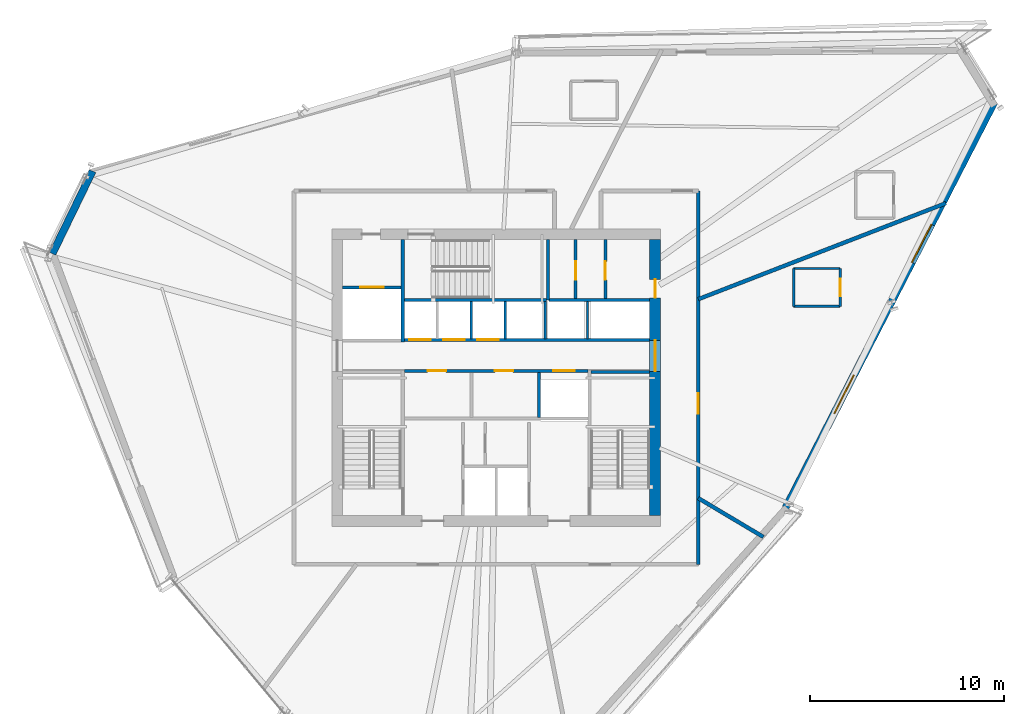
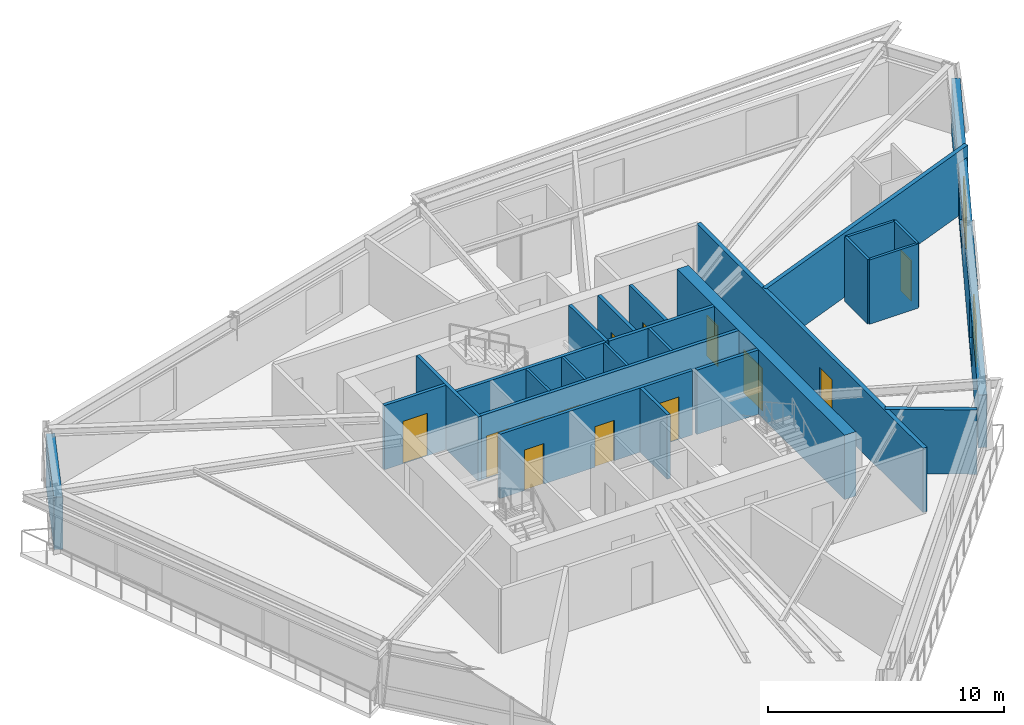
# One storey, part 10 of 15: 25 walls, 13 doors, 2 windows, 15 openings.
"""IFC4 building model written with IfcOpenShell, lengths in metres."""

from ifc_helpers import new_model, si_unit, direction, frame, frame_2d, origin, place, context, subcontext, project, spatial, rectangle, extrude, source, transform, mapped, material, layer, layer_set, type_object, type_shapes, element, fill, save


model = new_model("IFC4")

# Units and contexts
model_context = context("Model", 3, precision=1e-05, world=origin(), true_north=direction((0.0, 1.0)))
body_context = subcontext(model_context, "Body", "Model", "MODEL_VIEW")
ifc_project = project(units=[si_unit("LENGTHUNIT", "METRE"), si_unit("AREAUNIT", "SQUARE_METRE"), si_unit("VOLUMEUNIT", "CUBIC_METRE"), si_unit("PLANEANGLEUNIT", "RADIAN"), si_unit("MASSUNIT", "GRAM", prefix="KILO")], contexts=[model_context])

# Site, building, storey
site_placement = place(None, origin())
site = spatial("IfcSite", under=ifc_project, at=site_placement, CompositionType="ELEMENT")
building_placement = place(site_placement, origin())
building = spatial("IfcBuilding", under=site, at=building_placement, Name="Olszyna Solenne Hotel", CompositionType="ELEMENT")
storey_placement = place(building_placement, frame((0.0, 0.0, 164.35009765625)))
storey = spatial("IfcBuildingStorey", under=building, at=storey_placement, Name="L43", CompositionType="ELEMENT", Elevation=164.35009765625)

# Wall, openings, doors
ifc_material_1 = material(Name="Concrete C50/60", Category="concrete")
ifc_layer_1 = layer(ifc_material_1, 0.550048828125, Name="Concrete C50/60")
ifc_layer_set_1 = layer_set([ifc_layer_1], Name="Concrete C50/60")
wall_type_1 = type_object("IfcWallType", Name="WL-CR550", PredefinedType="SHEAR", material=ifc_layer_set_1)
wall_1_placement = place(storey_placement, frame((46.175048828125, 33.699951171875, 0.0), z_axis=(0.0, 0.0, 1.0), x_axis=(0.0, -1.0, 0.0)))
wall_1 = element("IfcWall", 1, at=wall_1_placement, inside=storey, type_object=wall_type_1, Name="Core shear wall WL-CR550 CRW-L43-E", PredefinedType="SHEAR", context=body_context, shape_type="SweptSolid", body=[
    extrude(rectangle(XDim=14.199951171875, YDim=0.550048828125, at=frame_2d((7.10009765625, 0.0))), origin(), (0.0, 0.0, 1.0), 3.329833984375),
])
opening_1_placement = place(wall_1_placement, frame((5.179931640625, 0.0, 0.0)))
opening_1 = element("IfcOpeningElement", 2, at=opening_1_placement, cuts=wall_1, Name="Opening LHD-L43-E", PredefinedType="OPENING", context=body_context, shape_type="SweptSolid", body=[
    extrude(rectangle(XDim=1.60009765625, YDim=2.199951171875, at=frame_2d((0.800048828125, 1.10009765625))), frame((0.0, 0.28515625, 0.0), z_axis=(0.0, -1.0, 0.0), x_axis=(1.0, 0.0, 0.0)), (0.0, 0.0, 1.0), 0.570068359375),
])
opening_2_placement = place(wall_1_placement, frame((2.050048828125, 0.0, 0.0)))
opening_2 = element("IfcOpeningElement", 3, at=opening_2_placement, cuts=wall_1, Name="Opening SVD-L43-BE", PredefinedType="OPENING", context=body_context, shape_type="SweptSolid", body=[
    extrude(rectangle(XDim=0.949951171875, YDim=2.10009765625, at=frame_2d((0.47509765625, 1.050048828125))), frame((0.0, 0.28515625, 0.0), z_axis=(0.0, -1.0, 0.0), x_axis=(1.0, 0.0, 0.0)), (0.0, 0.0, 1.0), 0.570068359375),
])
ifc_material_2 = material(Name="Steel S355J2", Category="steel")
door_type_1 = type_object("IfcDoorType", Name="DR-SV1", OperationType="NOTDEFINED", PredefinedType="DOOR", material=ifc_material_2)
shared_shape_1 = source(origin(), body_context, "Body", "SweptSolid", [
    extrude(rectangle(XDim=0.949951171875, YDim=2.10009765625, at=frame_2d((0.47509765625, 1.050048828125))), frame((0.0, 0.02490234375, 0.0), z_axis=(0.0, -1.0, 0.0), x_axis=(1.0, 0.0, 0.0)), (0.0, 0.0, 1.0), 0.050048828125),
])
type_shapes(door_type_1, [shared_shape_1])
door_1_placement = place(opening_2_placement, origin())
door_1 = element("IfcDoor", 4, at=door_1_placement, inside=storey, type_object=door_type_1, Name="Housekeeping core fire door SVD-L43-BE", OperationType="SINGLE_SWING_RIGHT", OverallHeight=2.10009765625, OverallWidth=0.949951171875, PredefinedType="DOOR", context=body_context, shape_type="MappedRepresentation", body=[
    mapped(shared_shape_1, transform((0.0, 0.0, 0.0), x_axis=(1.0, 0.0, 0.0), y_axis=(0.0, 1.0, 0.0), z_axis=(0.0, 0.0, 1.0), scale=1.0)),
])
fill(opening_2, door_1)
ifc_material_3 = material(Name="Timber hardwood", Category="wood")
door_type_2 = type_object("IfcDoorType", Name="DR-CR1", OperationType="DOUBLE_DOOR_SINGLE_SWING", PredefinedType="DOOR", material=ifc_material_3)
shared_shape_2 = source(origin(), body_context, "Body", "SweptSolid", [
    extrude(rectangle(XDim=1.60009765625, YDim=2.199951171875, at=frame_2d((0.800048828125, 1.10009765625))), frame((0.0, 0.02490234375, 0.0), z_axis=(0.0, -1.0, 0.0), x_axis=(1.0, 0.0, 0.0)), (0.0, 0.0, 1.0), 0.050048828125),
])
type_shapes(door_type_2, [shared_shape_2])
door_2_placement = place(opening_1_placement, origin())
door_2 = element("IfcDoor", 5, at=door_2_placement, inside=storey, type_object=door_type_2, Name="Passenger lift lobby East fire door LHD-L43-E", OperationType="DOUBLE_DOOR_SINGLE_SWING", OverallHeight=2.199951171875, OverallWidth=1.60009765625, PredefinedType="DOOR", context=body_context, shape_type="MappedRepresentation", body=[
    mapped(shared_shape_2, transform((0.0, 0.0, 0.0), x_axis=(1.0, 0.0, 0.0), y_axis=(0.0, 1.0, 0.0), z_axis=(0.0, 0.0, 1.0), scale=1.0)),
])
fill(opening_1, door_2)

# Wall
ifc_material_4 = material(Name="Terracotta cladding on precast concrete C45/55", Category="masonry")
ifc_layer_2 = layer(ifc_material_4, 0.3798828125, Name="Terracotta cladding on precast concrete C45/55")
ifc_layer_set_2 = layer_set([ifc_layer_2], Name="Terracotta cladding on precast concrete C45/55")
wall_type_2 = type_object("IfcWallType", Name="WL-EX380", PredefinedType="SOLIDWALL", material=ifc_layer_set_2)
wall_2_placement = place(storey_placement, frame((15.17529296875, 32.977294921875, 0.0), z_axis=(0.0, 0.0, 1.0), x_axis=(0.436797542264, 0.89955984074, 0.0)))
element("IfcWall", 6, at=wall_2_placement, inside=storey, type_object=wall_type_2, Name="Exterior terracotta-precast frame wall WL-EX380 EW-L43-06", PredefinedType="SOLIDWALL", context=body_context, shape_type="SweptSolid", body=[
    extrude(rectangle(XDim=4.72021484375, YDim=0.3798828125, at=frame_2d((2.360107421875, 0.0))), origin(), (0.0, 0.0, 1.0), 2.721923828125),
])

# Wall, openings, windows
wall_3_placement = place(storey_placement, frame((63.62939453125, 40.7734375, 0.0), z_axis=(0.0, 0.0, 1.0), x_axis=(-0.457435909199, -0.889242592871, 0.0)))
wall_3 = element("IfcWall", 7, at=wall_3_placement, inside=storey, type_object=wall_type_2, Name="Exterior terracotta-precast frame wall WL-EX380 EW-L43-10", PredefinedType="SOLIDWALL", context=body_context, shape_type="SweptSolid", body=[
    extrude(rectangle(XDim=23.4716796875, YDim=0.3798828125, at=frame_2d((11.73583984375, 0.0))), origin(), (0.0, 0.0, 1.0), 2.721923828125),
])
opening_3_placement = place(wall_3_placement, frame((7.072021484375, 0.0, 0.35205078125)))
opening_3 = element("IfcOpeningElement", 8, at=opening_3_placement, cuts=wall_3, Name="Opening WN-L43-267", PredefinedType="OPENING", context=body_context, shape_type="SweptSolid", body=[
    extrude(rectangle(XDim=2.199951171875, YDim=2.25, at=frame_2d((1.10009765625, 1.125))), frame((0.0, 0.199951171875, 0.0), z_axis=(0.0, -1.0, 0.0), x_axis=(1.0, 0.0, 0.0)), (0.0, 0.0, 1.0), 0.39990234375),
])
opening_4_placement = place(wall_3_placement, frame((15.800048828125, 0.0, 0.35205078125)))
opening_4 = element("IfcOpeningElement", 9, at=opening_4_placement, cuts=wall_3, Name="Opening WN-L43-268", PredefinedType="OPENING", context=body_context, shape_type="SweptSolid", body=[
    extrude(rectangle(XDim=2.199951171875, YDim=2.25, at=frame_2d((1.10009765625, 1.125))), frame((0.0, 0.199951171875, 0.0), z_axis=(0.0, -1.0, 0.0), x_axis=(1.0, 0.0, 0.0)), (0.0, 0.0, 1.0), 0.39990234375),
])
ifc_material_5 = material(Name="Low-E triple glazing", Category="glass")
window_type = type_object("IfcWindowType", Name="WN-HT2", PartitioningType="SINGLE_PANEL", PredefinedType="WINDOW", material=ifc_material_5)
shared_shape_3 = source(origin(), body_context, "Body", "SweptSolid", [
    extrude(rectangle(XDim=2.199951171875, YDim=2.25, at=frame_2d((1.10009765625, 1.125))), frame((0.0, 0.030029296875, 0.0), z_axis=(0.0, -1.0, 0.0), x_axis=(1.0, 0.0, 0.0)), (0.0, 0.0, 1.0), 0.06005859375),
])
type_shapes(window_type, [shared_shape_3])
window_1_placement = place(opening_3_placement, origin())
window_1 = element("IfcWindow", 10, at=window_1_placement, inside=storey, type_object=window_type, Name="Exterior facade window WN-HT2 WN-L43-267", OverallHeight=2.25, OverallWidth=2.199951171875, PartitioningType="SINGLE_PANEL", PredefinedType="WINDOW", context=body_context, shape_type="MappedRepresentation", body=[
    mapped(shared_shape_3, transform((0.0, 0.0, 0.0), x_axis=(1.0, 0.0, 0.0), y_axis=(0.0, 1.0, 0.0), z_axis=(0.0, 0.0, 1.0), scale=1.0)),
])
fill(opening_3, window_1)
window_2_placement = place(opening_4_placement, origin())
window_2 = element("IfcWindow", 11, at=window_2_placement, inside=storey, type_object=window_type, Name="Exterior facade window WN-HT2 WN-L43-268", OverallHeight=2.25, OverallWidth=2.199951171875, PartitioningType="SINGLE_PANEL", PredefinedType="WINDOW", context=body_context, shape_type="MappedRepresentation", body=[
    mapped(shared_shape_3, transform((0.0, 0.0, 0.0), x_axis=(1.0, 0.0, 0.0), y_axis=(0.0, 1.0, 0.0), z_axis=(0.0, 0.0, 1.0), scale=1.0)),
])
fill(opening_4, window_2)

# Walls
ifc_material_6 = material(Name="Acoustic gypsum partition", Category="gypsum")
ifc_layer_3 = layer(ifc_material_6, 0.125, Name="Acoustic gypsum partition")
ifc_layer_set_3 = layer_set([ifc_layer_3], Name="Acoustic gypsum partition")
wall_type_3 = type_object("IfcWallType", Name="WL-PT125", PredefinedType="PARTITIONING", material=ifc_layer_set_3)
for number, where, z_axis, x_axis, name in (
    (12, (36.715087890625, 28.60009765625, 0.0), (0.0, 0.0, 1.0), (0.0, 1.0, 0.0), "Core shaft compartment wall CW-L43-DIVN367"),
    (13, (38.465087890625, 28.60009765625, 0.0), (0.0, 0.0, 1.0), (0.0, 1.0, 0.0), "Core shaft compartment wall CW-L43-DIVN384"),
    (14, (40.52490234375, 28.60009765625, 0.0), (0.0, 0.0, 1.0), (0.0, 1.0, 0.0), "Core shaft compartment wall CW-L43-DIVEX405"),
    (15, (42.699951171875, 28.60009765625, 0.0), (0.0, 0.0, 1.0), (0.0, 1.0, 0.0), "Core shaft compartment wall CW-L43-DIVEX427"),
):
    element("IfcWall", number, at=place(storey_placement, frame(where, z_axis=z_axis, x_axis=x_axis)), inside=storey, type_object=wall_type_3, Name=name, PredefinedType="PARTITIONING", context=body_context, shape_type="SweptSolid", body=[
        extrude(rectangle(XDim=1.919921875, YDim=0.125, at=frame_2d((0.9599609375, 0.0))), origin(), (0.0, 0.0, 1.0), 3.329833984375),
    ])

# Wall, opening, door
wall_4_placement = place(storey_placement, frame((55.700927734375, 30.261962890625, 0.0), z_axis=(0.0, 0.0, 1.0), x_axis=(0.0, 1.0, 0.0)))
wall_4 = element("IfcWall", 16, at=wall_4_placement, inside=storey, type_object=wall_type_3, Name="Interior acoustic partition WL-PT125 PW-L43-2426", PredefinedType="PARTITIONING", context=body_context, shape_type="SweptSolid", body=[
    extrude(rectangle(XDim=1.949951171875, YDim=0.125, at=frame_2d((0.97509765625, 0.0))), origin(), (0.0, 0.0, 1.0), 3.329833984375),
])
opening_5_placement = place(wall_4_placement, frame((0.52490234375, 0.0, 0.0)))
opening_5 = element("IfcOpeningElement", 17, at=opening_5_placement, cuts=wall_4, Name="Opening DR-L43-0585", PredefinedType="OPENING", context=body_context, shape_type="SweptSolid", body=[
    extrude(rectangle(XDim=0.89990234375, YDim=2.10009765625, at=frame_2d((0.449951171875, 1.050048828125))), frame((0.0, 0.072509765625, 0.0), z_axis=(0.0, -1.0, 0.0), x_axis=(1.0, 0.0, 0.0)), (0.0, 0.0, 1.0), 0.14501953125),
])
door_type_3 = type_object("IfcDoorType", Name="DR-WC1", OperationType="NOTDEFINED", PredefinedType="DOOR", material=ifc_material_3)
shared_shape_4 = source(origin(), body_context, "Body", "SweptSolid", [
    extrude(rectangle(XDim=0.89990234375, YDim=2.10009765625, at=frame_2d((0.449951171875, 1.050048828125))), frame((0.0, 0.02490234375, 0.0), z_axis=(0.0, -1.0, 0.0), x_axis=(1.0, 0.0, 0.0)), (0.0, 0.0, 1.0), 0.050048828125),
])
type_shapes(door_type_3, [shared_shape_4])
door_3_placement = place(opening_5_placement, origin())
door_3 = element("IfcDoor", 18, at=door_3_placement, inside=storey, type_object=door_type_3, Name="En-Suite Bathroom Door DR-L43-0585", OperationType="SINGLE_SWING_RIGHT", OverallHeight=2.10009765625, OverallWidth=0.89990234375, PredefinedType="DOOR", context=body_context, shape_type="MappedRepresentation", body=[
    mapped(shared_shape_4, transform((0.0, 0.0, 0.0), x_axis=(1.0, 0.0, 0.0), y_axis=(0.0, 1.0, 0.0), z_axis=(0.0, 0.0, 1.0), scale=1.0)),
])
fill(opening_5, door_3)

# Walls
wall_5_placement = place(storey_placement, frame((55.700927734375, 32.2119140625, 0.0), z_axis=(0.0, 0.0, 1.0), x_axis=(-1.0, 0.0, 0.0)))
element("IfcWall", 19, at=wall_5_placement, inside=storey, type_object=wall_type_3, Name="Interior acoustic partition WL-PT125 PW-L43-2427", PredefinedType="PARTITIONING", context=body_context, shape_type="SweptSolid", body=[
    extrude(rectangle(XDim=2.39990234375, YDim=0.125, at=frame_2d((1.199951171875, 0.0))), origin(), (0.0, 0.0, 1.0), 3.329833984375),
])
wall_6_placement = place(storey_placement, frame((53.301025390625, 32.2119140625, 0.0), z_axis=(0.0, 0.0, 1.0), x_axis=(0.0, -1.0, 0.0)))
element("IfcWall", 20, at=wall_6_placement, inside=storey, type_object=wall_type_3, Name="Interior acoustic partition WL-PT125 PW-L43-2428", PredefinedType="PARTITIONING", context=body_context, shape_type="SweptSolid", body=[
    extrude(rectangle(XDim=1.949951171875, YDim=0.125, at=frame_2d((0.97509765625, 0.0))), origin(), (0.0, 0.0, 1.0), 3.329833984375),
])
wall_7_placement = place(storey_placement, frame((53.301025390625, 30.261962890625, 0.0), z_axis=(0.0, 0.0, 1.0), x_axis=(1.0, 0.0, 0.0)))
element("IfcWall", 21, at=wall_7_placement, inside=storey, type_object=wall_type_3, Name="Interior acoustic partition WL-PT125 PW-L43-2429", PredefinedType="PARTITIONING", context=body_context, shape_type="SweptSolid", body=[
    extrude(rectangle(XDim=2.39990234375, YDim=0.125, at=frame_2d((1.199951171875, 0.0))), origin(), (0.0, 0.0, 1.0), 3.329833984375),
])
ifc_layer_4 = layer(ifc_material_6, 0.159912109375, Name="Acoustic gypsum partition")
ifc_layer_set_4 = layer_set([ifc_layer_4], Name="Acoustic gypsum partition")
wall_type_4 = type_object("IfcWallType", Name="WL-PT160", PredefinedType="PARTITIONING", material=ifc_layer_set_4)
wall_8_placement = place(storey_placement, frame((42.8798828125, 26.8798828125, 0.0), z_axis=(0.0, 0.0, 1.0), x_axis=(1.0, 0.0, 0.0)))
element("IfcWall", 22, at=wall_8_placement, inside=storey, type_object=wall_type_4, Name="Core shaft compartment wall CW-L43-ST2N", PredefinedType="PARTITIONING", context=body_context, shape_type="SweptSolid", body=[
    extrude(rectangle(XDim=3.02001953125, YDim=0.159912109375, at=frame_2d((1.510009765625, 0.0))), origin(), (0.0, 0.0, 1.0), 3.329833984375),
])
wall_9_placement = place(storey_placement, frame((33.280029296875, 30.60009765625, 0.0), z_axis=(0.0, 0.0, 1.0), x_axis=(1.0, 0.0, 0.0)))
element("IfcWall", 23, at=wall_9_placement, inside=storey, type_object=wall_type_4, Name="Core shaft compartment wall CW-L43-ST3S", PredefinedType="PARTITIONING", context=body_context, shape_type="SweptSolid", body=[
    extrude(rectangle(XDim=7.300048828125, YDim=0.159912109375, at=frame_2d((3.64990234375, 0.0))), origin(), (0.0, 0.0, 1.0), 3.329833984375),
])
wall_10_placement = place(storey_placement, frame((40.659912109375, 30.60009765625, 0.0), z_axis=(0.0, 0.0, 1.0), x_axis=(0.0, 1.0, 0.0)))
element("IfcWall", 24, at=wall_10_placement, inside=storey, type_object=wall_type_4, Name="Core shaft compartment wall CW-L43-ST3E", PredefinedType="PARTITIONING", context=body_context, shape_type="SweptSolid", body=[
    extrude(rectangle(XDim=3.099853515625, YDim=0.159912109375, at=frame_2d((1.5498046875, 0.0))), origin(), (0.0, 0.0, 1.0), 3.329833984375),
])
wall_11_placement = place(storey_placement, frame((33.199951171875, 28.43994140625, 0.0), z_axis=(0.0, 0.0, 1.0), x_axis=(0.0, 1.0, 0.0)))
element("IfcWall", 25, at=wall_11_placement, inside=storey, type_object=wall_type_4, Name="Core shaft compartment wall CW-L43-SV1E", PredefinedType="PARTITIONING", context=body_context, shape_type="SweptSolid", body=[
    extrude(rectangle(XDim=5.260009765625, YDim=0.159912109375, at=frame_2d((2.6298828125, 0.0))), origin(), (0.0, 0.0, 1.0), 3.329833984375),
])

# Wall, opening, door
wall_12_placement = place(storey_placement, frame((30.10009765625, 31.239990234375, 0.0), z_axis=(0.0, 0.0, 1.0), x_axis=(1.0, 0.0, 0.0)))
wall_12 = element("IfcWall", 26, at=wall_12_placement, inside=storey, type_object=wall_type_4, Name="Core shaft compartment wall CW-L43-SV1N", PredefinedType="PARTITIONING", context=body_context, shape_type="SweptSolid", body=[
    extrude(rectangle(XDim=3.02001953125, YDim=0.159912109375, at=frame_2d((1.510009765625, 0.0))), origin(), (0.0, 0.0, 1.0), 3.329833984375),
])
opening_6_placement = place(wall_12_placement, frame((0.909912109375, 0.0, 0.0)))
opening_6 = element("IfcOpeningElement", 27, at=opening_6_placement, cuts=wall_12, Name="Opening LD-L43-SV1", PredefinedType="OPENING", context=body_context, shape_type="SweptSolid", body=[
    extrude(rectangle(XDim=1.199951171875, YDim=2.199951171875, at=frame_2d((0.60009765625, 1.10009765625))), frame((0.0, 0.08984375, 0.0), z_axis=(0.0, -1.0, 0.0), x_axis=(1.0, 0.0, 0.0)), (0.0, 0.0, 1.0), 0.179931640625),
])
door_type_4 = type_object("IfcDoorType", Name="LD-FF1", OperationType="DOUBLE_DOOR_SLIDING", PredefinedType="DOOR", material=ifc_material_2)
shared_shape_5 = source(origin(), body_context, "Body", "SweptSolid", [
    extrude(rectangle(XDim=1.199951171875, YDim=2.199951171875, at=frame_2d((0.60009765625, 1.10009765625))), frame((0.0, 0.02490234375, 0.0), z_axis=(0.0, -1.0, 0.0), x_axis=(1.0, 0.0, 0.0)), (0.0, 0.0, 1.0), 0.050048828125),
])
type_shapes(door_type_4, [shared_shape_5])
door_4_placement = place(opening_6_placement, origin())
door_4 = element("IfcDoor", 28, at=door_4_placement, inside=storey, type_object=door_type_4, Name="Service lift SV1 sliding landing door LD-L43-SV1", OperationType="DOUBLE_DOOR_SLIDING", OverallHeight=2.199951171875, OverallWidth=1.199951171875, PredefinedType="DOOR", context=body_context, shape_type="MappedRepresentation", body=[
    mapped(shared_shape_5, transform((0.0, 0.0, 0.0), x_axis=(1.0, 0.0, 0.0), y_axis=(0.0, 1.0, 0.0), z_axis=(0.0, 0.0, 1.0), scale=1.0)),
])
fill(opening_6, door_4)

# Wall, openings, doors
wall_13_placement = place(storey_placement, frame((33.280029296875, 26.949951171875, 0.0), z_axis=(0.0, 0.0, 1.0), x_axis=(1.0, 0.0, 0.0)))
wall_13 = element("IfcWall", 29, at=wall_13_placement, inside=storey, type_object=wall_type_4, Name="Core shaft compartment wall CW-L43-LRS", PredefinedType="PARTITIONING", context=body_context, shape_type="SweptSolid", body=[
    extrude(rectangle(XDim=9.43994140625, YDim=0.159912109375, at=frame_2d((4.719970703125, 0.0))), origin(), (0.0, 0.0, 1.0), 3.329833984375),
])
opening_7_placement = place(wall_13_placement, frame((1.199951171875, 0.0, 0.0)))
opening_7 = element("IfcOpeningElement", 30, at=opening_7_placement, cuts=wall_13, Name="Opening SVD-L43-L71", PredefinedType="OPENING", context=body_context, shape_type="SweptSolid", body=[
    extrude(rectangle(XDim=0.949951171875, YDim=2.10009765625, at=frame_2d((0.47509765625, 1.050048828125))), frame((0.0, 0.08984375, 0.0), z_axis=(0.0, -1.0, 0.0), x_axis=(1.0, 0.0, 0.0)), (0.0, 0.0, 1.0), 0.179931640625),
])
opening_8_placement = place(wall_13_placement, frame((4.64990234375, 0.0, 0.0)))
opening_8 = element("IfcOpeningElement", 31, at=opening_8_placement, cuts=wall_13, Name="Opening SVD-L43-L72", PredefinedType="OPENING", context=body_context, shape_type="SweptSolid", body=[
    extrude(rectangle(XDim=0.949951171875, YDim=2.10009765625, at=frame_2d((0.47509765625, 1.050048828125))), frame((0.0, 0.08984375, 0.0), z_axis=(0.0, -1.0, 0.0), x_axis=(1.0, 0.0, 0.0)), (0.0, 0.0, 1.0), 0.179931640625),
])
opening_9_placement = place(wall_13_placement, frame((7.669921875, 0.0, 0.0)))
opening_9 = element("IfcOpeningElement", 32, at=opening_9_placement, cuts=wall_13, Name="Opening LD-L43-PL5", PredefinedType="OPENING", context=body_context, shape_type="SweptSolid", body=[
    extrude(rectangle(XDim=1.10009765625, YDim=2.199951171875, at=frame_2d((0.550048828125, 1.10009765625))), frame((0.0, 0.08984375, 0.0), z_axis=(0.0, -1.0, 0.0), x_axis=(1.0, 0.0, 0.0)), (0.0, 0.0, 1.0), 0.179931640625),
])
door_5_placement = place(opening_7_placement, origin())
door_5 = element("IfcDoor", 33, at=door_5_placement, inside=storey, type_object=door_type_1, Name="Recaptured core room fire door SVD-L43-L71", OperationType="SINGLE_SWING_LEFT", OverallHeight=2.10009765625, OverallWidth=0.949951171875, PredefinedType="DOOR", context=body_context, shape_type="MappedRepresentation", body=[
    mapped(shared_shape_1, transform((0.0, 0.0, 0.0), x_axis=(1.0, 0.0, 0.0), y_axis=(0.0, 1.0, 0.0), z_axis=(0.0, 0.0, 1.0), scale=1.0)),
])
fill(opening_7, door_5)
door_6_placement = place(opening_8_placement, origin())
door_6 = element("IfcDoor", 34, at=door_6_placement, inside=storey, type_object=door_type_1, Name="Recaptured core room fire door SVD-L43-L72", OperationType="SINGLE_SWING_RIGHT", OverallHeight=2.10009765625, OverallWidth=0.949951171875, PredefinedType="DOOR", context=body_context, shape_type="MappedRepresentation", body=[
    mapped(shared_shape_1, transform((0.0, 0.0, 0.0), x_axis=(1.0, 0.0, 0.0), y_axis=(0.0, 1.0, 0.0), z_axis=(0.0, 0.0, 1.0), scale=1.0)),
])
fill(opening_8, door_6)
door_type_5 = type_object("IfcDoorType", Name="LD-P1", OperationType="DOUBLE_DOOR_SLIDING", PredefinedType="DOOR", material=ifc_material_2)
shared_shape_6 = source(origin(), body_context, "Body", "SweptSolid", [
    extrude(rectangle(XDim=1.10009765625, YDim=2.199951171875, at=frame_2d((0.550048828125, 1.10009765625))), frame((0.0, 0.02490234375, 0.0), z_axis=(0.0, -1.0, 0.0), x_axis=(1.0, 0.0, 0.0)), (0.0, 0.0, 1.0), 0.050048828125),
])
type_shapes(door_type_5, [shared_shape_6])
door_7_placement = place(opening_9_placement, origin())
door_7 = element("IfcDoor", 35, at=door_7_placement, inside=storey, type_object=door_type_5, Name="Passenger lift PL5 sliding landing door LD-L43-PL5", OperationType="DOUBLE_DOOR_SLIDING", OverallHeight=2.199951171875, OverallWidth=1.10009765625, PredefinedType="DOOR", context=body_context, shape_type="MappedRepresentation", body=[
    mapped(shared_shape_6, transform((0.0, 0.0, 0.0), x_axis=(1.0, 0.0, 0.0), y_axis=(0.0, 1.0, 0.0), z_axis=(0.0, 0.0, 1.0), scale=1.0)),
])
fill(opening_9, door_7)

# Wall
wall_14_placement = place(storey_placement, frame((40.215087890625, 24.56005859375, 0.0), z_axis=(0.0, 0.0, 1.0), x_axis=(0.0, 1.0, 0.0)))
element("IfcWall", 36, at=wall_14_placement, inside=storey, type_object=wall_type_4, Name="Core shaft compartment wall CW-L43-LV7DIV2", PredefinedType="PARTITIONING", context=body_context, shape_type="SweptSolid", body=[
    extrude(rectangle(XDim=2.31005859375, YDim=0.159912109375, at=frame_2d((1.155029296875, 0.0))), origin(), (0.0, 0.0, 1.0), 3.329833984375),
])

# Wall, openings, doors
wall_15_placement = place(storey_placement, frame((33.280029296875, 28.5400390625, 0.0), z_axis=(0.0, 0.0, 1.0), x_axis=(1.0, 0.0, 0.0)))
wall_15 = element("IfcWall", 37, at=wall_15_placement, inside=storey, type_object=wall_type_4, Name="Core shaft compartment wall CW-L43-LRN", PredefinedType="PARTITIONING", context=body_context, shape_type="SweptSolid", body=[
    extrude(rectangle(XDim=12.619873046875, YDim=0.159912109375, at=frame_2d((6.31005859375, 0.0))), origin(), (0.0, 0.0, 1.0), 3.329833984375),
])
opening_10_placement = place(wall_15_placement, frame((0.260009765625, 0.0, 0.0)))
opening_10 = element("IfcOpeningElement", 38, at=opening_10_placement, cuts=wall_15, Name="Opening LD-L43-PL6", PredefinedType="OPENING", context=body_context, shape_type="SweptSolid", body=[
    extrude(rectangle(XDim=1.10009765625, YDim=2.199951171875, at=frame_2d((0.550048828125, 1.10009765625))), frame((0.0, 0.08984375, 0.0), z_axis=(0.0, -1.0, 0.0), x_axis=(1.0, 0.0, 0.0)), (0.0, 0.0, 1.0), 0.179931640625),
])
opening_11_placement = place(wall_15_placement, frame((2.010009765625, 0.0, 0.0)))
opening_11 = element("IfcOpeningElement", 39, at=opening_11_placement, cuts=wall_15, Name="Opening LD-L43-PL7", PredefinedType="OPENING", context=body_context, shape_type="SweptSolid", body=[
    extrude(rectangle(XDim=1.10009765625, YDim=2.199951171875, at=frame_2d((0.550048828125, 1.10009765625))), frame((0.0, 0.08984375, 0.0), z_axis=(0.0, -1.0, 0.0), x_axis=(1.0, 0.0, 0.0)), (0.0, 0.0, 1.0), 0.179931640625),
])
opening_12_placement = place(wall_15_placement, frame((3.760009765625, 0.0, 0.0)))
opening_12 = element("IfcOpeningElement", 40, at=opening_12_placement, cuts=wall_15, Name="Opening LD-L43-PL8", PredefinedType="OPENING", context=body_context, shape_type="SweptSolid", body=[
    extrude(rectangle(XDim=1.10009765625, YDim=2.199951171875, at=frame_2d((0.550048828125, 1.10009765625))), frame((0.0, 0.08984375, 0.0), z_axis=(0.0, -1.0, 0.0), x_axis=(1.0, 0.0, 0.0)), (0.0, 0.0, 1.0), 0.179931640625),
])
door_8_placement = place(opening_10_placement, origin())
door_8 = element("IfcDoor", 41, at=door_8_placement, inside=storey, type_object=door_type_5, Name="Passenger lift PL6 sliding landing door LD-L43-PL6", OperationType="DOUBLE_DOOR_SLIDING", OverallHeight=2.199951171875, OverallWidth=1.10009765625, PredefinedType="DOOR", context=body_context, shape_type="MappedRepresentation", body=[
    mapped(shared_shape_6, transform((0.0, 0.0, 0.0), x_axis=(1.0, 0.0, 0.0), y_axis=(0.0, 1.0, 0.0), z_axis=(0.0, 0.0, 1.0), scale=1.0)),
])
fill(opening_10, door_8)
door_9_placement = place(opening_11_placement, origin())
door_9 = element("IfcDoor", 42, at=door_9_placement, inside=storey, type_object=door_type_5, Name="Passenger lift PL7 sliding landing door LD-L43-PL7", OperationType="DOUBLE_DOOR_SLIDING", OverallHeight=2.199951171875, OverallWidth=1.10009765625, PredefinedType="DOOR", context=body_context, shape_type="MappedRepresentation", body=[
    mapped(shared_shape_6, transform((0.0, 0.0, 0.0), x_axis=(1.0, 0.0, 0.0), y_axis=(0.0, 1.0, 0.0), z_axis=(0.0, 0.0, 1.0), scale=1.0)),
])
fill(opening_11, door_9)
door_10_placement = place(opening_12_placement, origin())
door_10 = element("IfcDoor", 43, at=door_10_placement, inside=storey, type_object=door_type_5, Name="Passenger lift PL8 sliding landing door LD-L43-PL8", OperationType="DOUBLE_DOOR_SLIDING", OverallHeight=2.199951171875, OverallWidth=1.10009765625, PredefinedType="DOOR", context=body_context, shape_type="MappedRepresentation", body=[
    mapped(shared_shape_6, transform((0.0, 0.0, 0.0), x_axis=(1.0, 0.0, 0.0), y_axis=(0.0, 1.0, 0.0), z_axis=(0.0, 0.0, 1.0), scale=1.0)),
])
fill(opening_12, door_10)

# Wall
wall_16_placement = place(storey_placement, frame((40.719970703125, 30.60009765625, 0.0), z_axis=(0.0, 0.0, 1.0), x_axis=(1.0, 0.0, 0.0)))
element("IfcWall", 44, at=wall_16_placement, inside=storey, type_object=wall_type_4, Name="Core shaft compartment wall CW-L43-LRNTOP", PredefinedType="PARTITIONING", context=body_context, shape_type="SweptSolid", body=[
    extrude(rectangle(XDim=5.179931640625, YDim=0.159912109375, at=frame_2d((2.58984375, 0.0))), origin(), (0.0, 0.0, 1.0), 3.329833984375),
])

# Wall, opening, door
wall_17_placement = place(storey_placement, frame((42.0849609375, 30.679931640625, 0.0), z_axis=(0.0, 0.0, 1.0), x_axis=(0.0, 1.0, 0.0)))
wall_17 = element("IfcWall", 45, at=wall_17_placement, inside=storey, type_object=wall_type_4, Name="Core shaft compartment wall CW-L43-BOH3A", PredefinedType="PARTITIONING", context=body_context, shape_type="SweptSolid", body=[
    extrude(rectangle(XDim=3.02001953125, YDim=0.159912109375, at=frame_2d((1.510009765625, 0.0))), origin(), (0.0, 0.0, 1.0), 3.329833984375),
])
opening_13_placement = place(wall_17_placement, frame((0.949951171875, 0.0, 0.0)))
opening_13 = element("IfcOpeningElement", 46, at=opening_13_placement, cuts=wall_17, Name="Opening SVD-L43-B31", PredefinedType="OPENING", context=body_context, shape_type="SweptSolid", body=[
    extrude(rectangle(XDim=0.949951171875, YDim=2.10009765625, at=frame_2d((0.47509765625, 1.050048828125))), frame((0.0, 0.08984375, 0.0), z_axis=(0.0, -1.0, 0.0), x_axis=(1.0, 0.0, 0.0)), (0.0, 0.0, 1.0), 0.179931640625),
])
door_11_placement = place(opening_13_placement, origin())
door_11 = element("IfcDoor", 47, at=door_11_placement, inside=storey, type_object=door_type_1, Name="BOH inter-room fire door SVD-L43-B31", OperationType="SINGLE_SWING_LEFT", OverallHeight=2.10009765625, OverallWidth=0.949951171875, PredefinedType="DOOR", context=body_context, shape_type="MappedRepresentation", body=[
    mapped(shared_shape_1, transform((0.0, 0.0, 0.0), x_axis=(1.0, 0.0, 0.0), y_axis=(0.0, 1.0, 0.0), z_axis=(0.0, 0.0, 1.0), scale=1.0)),
])
fill(opening_13, door_11)

wall_18_placement = place(storey_placement, frame((43.625, 30.679931640625, 0.0), z_axis=(0.0, 0.0, 1.0), x_axis=(0.0, 1.0, 0.0)))
wall_18 = element("IfcWall", 48, at=wall_18_placement, inside=storey, type_object=wall_type_4, Name="Core shaft compartment wall CW-L43-BOH3B", PredefinedType="PARTITIONING", context=body_context, shape_type="SweptSolid", body=[
    extrude(rectangle(XDim=3.02001953125, YDim=0.159912109375, at=frame_2d((1.510009765625, 0.0))), origin(), (0.0, 0.0, 1.0), 3.329833984375),
])
opening_14_placement = place(wall_18_placement, frame((0.949951171875, 0.0, 0.0)))
opening_14 = element("IfcOpeningElement", 49, at=opening_14_placement, cuts=wall_18, Name="Opening SVD-L43-B32", PredefinedType="OPENING", context=body_context, shape_type="SweptSolid", body=[
    extrude(rectangle(XDim=0.949951171875, YDim=2.10009765625, at=frame_2d((0.47509765625, 1.050048828125))), frame((0.0, 0.08984375, 0.0), z_axis=(0.0, -1.0, 0.0), x_axis=(1.0, 0.0, 0.0)), (0.0, 0.0, 1.0), 0.179931640625),
])
door_12_placement = place(opening_14_placement, origin())
door_12 = element("IfcDoor", 50, at=door_12_placement, inside=storey, type_object=door_type_1, Name="BOH inter-room fire door SVD-L43-B32", OperationType="SINGLE_SWING_LEFT", OverallHeight=2.10009765625, OverallWidth=0.949951171875, PredefinedType="DOOR", context=body_context, shape_type="MappedRepresentation", body=[
    mapped(shared_shape_1, transform((0.0, 0.0, 0.0), x_axis=(1.0, 0.0, 0.0), y_axis=(0.0, 1.0, 0.0), z_axis=(0.0, 0.0, 1.0), scale=1.0)),
])
fill(opening_14, door_12)

# Walls
ifc_layer_5 = layer(ifc_material_6, 0.199951171875, Name="Acoustic gypsum partition")
ifc_layer_set_5 = layer_set([ifc_layer_5], Name="Acoustic gypsum partition")
wall_type_5 = type_object("IfcWallType", Name="WL-PT200", PredefinedType="PARTITIONING", material=ifc_layer_set_5)
wall_19_placement = place(storey_placement, frame((48.39990234375, 20.400390625, 0.0), z_axis=(0.0, 0.0, 1.0), x_axis=(0.858964986341, -0.512034327209, 0.0)))
element("IfcWall", 51, at=wall_19_placement, inside=storey, type_object=wall_type_5, Name="Interior acoustic partition WL-PT200 PW-L43-2423", PredefinedType="PARTITIONING", context=body_context, shape_type="SweptSolid", body=[
    extrude(rectangle(XDim=3.89794921875, YDim=0.199951171875, at=frame_2d((1.948974609375, 0.0))), origin(), (0.0, 0.0, 1.0), 3.329833984375),
])
wall_20_placement = place(storey_placement, frame((48.39990234375, 30.6337890625, 0.0), z_axis=(0.0, 0.0, 1.0), x_axis=(0.932320972831, 0.361631862008, 0.0)))
element("IfcWall", 52, at=wall_20_placement, inside=storey, type_object=wall_type_5, Name="Interior acoustic partition WL-PT200 PW-L43-2424", PredefinedType="PARTITIONING", context=body_context, shape_type="SweptSolid", body=[
    extrude(rectangle(XDim=13.65869140625, YDim=0.199951171875, at=frame_2d((6.829345703125, 0.0))), origin(), (0.0, 0.0, 1.0), 3.329833984375),
])

# Wall, opening, door
wall_21_placement = place(storey_placement, frame((48.39990234375, 17.0, 0.0), z_axis=(0.0, 0.0, 1.0), x_axis=(0.0, 1.0, 0.0)))
wall_21 = element("IfcWall", 53, at=wall_21_placement, inside=storey, type_object=wall_type_5, Name="Interior acoustic partition WL-PT200 PW-L43-2444", PredefinedType="PARTITIONING", context=body_context, shape_type="SweptSolid", body=[
    extrude(rectangle(XDim=19.199951171875, YDim=0.199951171875, at=frame_2d((9.60009765625, 0.0))), origin(), (0.0, 0.0, 1.0), 3.329833984375),
])
opening_15_placement = place(wall_21_placement, frame((7.736083984375, 0.0, 0.0)))
opening_15 = element("IfcOpeningElement", 54, at=opening_15_placement, cuts=wall_21, Name="Opening DR-L43-0593", PredefinedType="OPENING", context=body_context, shape_type="SweptSolid", body=[
    extrude(rectangle(XDim=1.050048828125, YDim=2.199951171875, at=frame_2d((0.52490234375, 1.10009765625))), frame((0.0, 0.10986328125, 0.0), z_axis=(0.0, -1.0, 0.0), x_axis=(1.0, 0.0, 0.0)), (0.0, 0.0, 1.0), 0.219970703125),
])
door_type_6 = type_object("IfcDoorType", Name="DR-RM2", OperationType="NOTDEFINED", PredefinedType="DOOR", material=ifc_material_3)
shared_shape_7 = source(origin(), body_context, "Body", "SweptSolid", [
    extrude(rectangle(XDim=1.050048828125, YDim=2.199951171875, at=frame_2d((0.52490234375, 1.10009765625))), frame((0.0, 0.02490234375, 0.0), z_axis=(0.0, -1.0, 0.0), x_axis=(1.0, 0.0, 0.0)), (0.0, 0.0, 1.0), 0.050048828125),
])
type_shapes(door_type_6, [shared_shape_7])
door_13_placement = place(opening_15_placement, origin())
door_13 = element("IfcDoor", 55, at=door_13_placement, inside=storey, type_object=door_type_6, Name="Corner Panorama Suite Entrance Door DR-L43-0593", OperationType="SINGLE_SWING_LEFT", OverallHeight=2.199951171875, OverallWidth=1.050048828125, PredefinedType="DOOR", context=body_context, shape_type="MappedRepresentation", body=[
    mapped(shared_shape_7, transform((0.0, 0.0, 0.0), x_axis=(1.0, 0.0, 0.0), y_axis=(0.0, 1.0, 0.0), z_axis=(0.0, 0.0, 1.0), scale=1.0)),
])
fill(opening_15, door_13)

save(model, "model.ifc")
